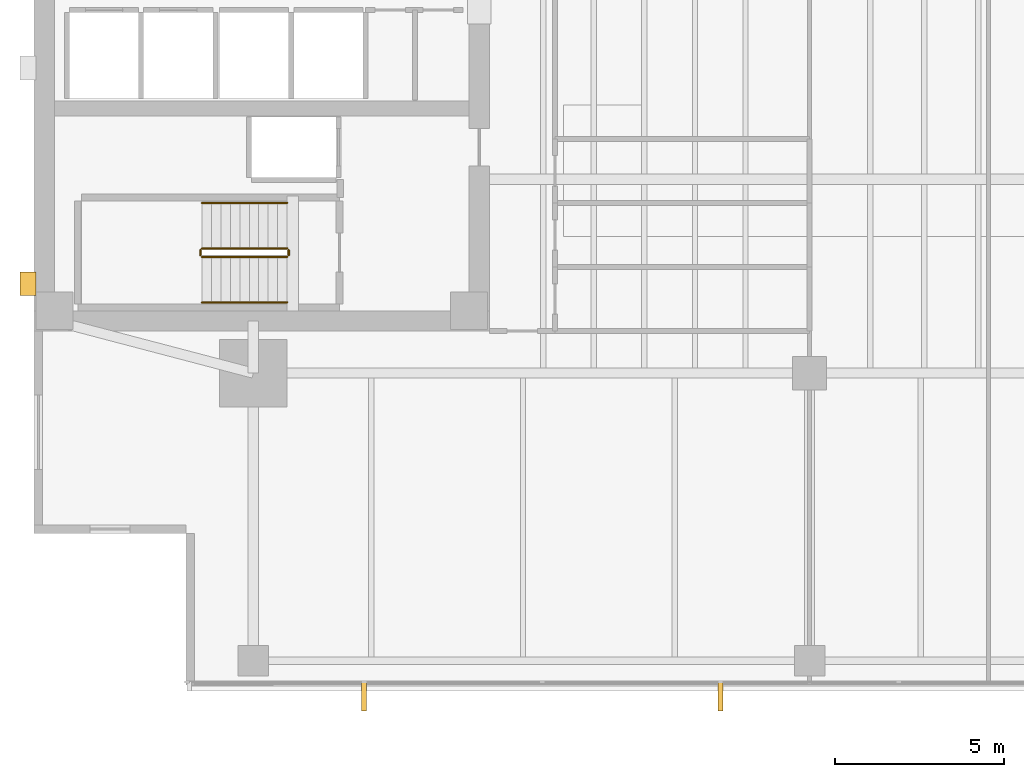
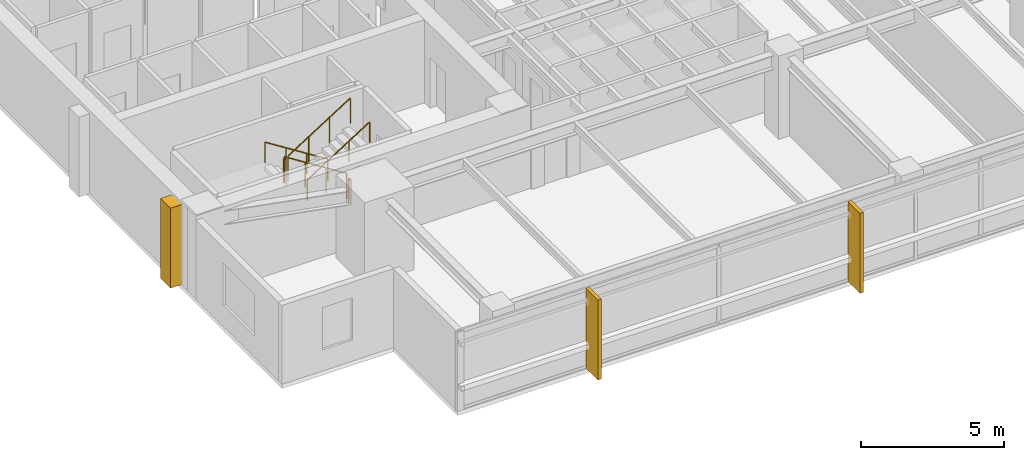
# One storey, part 11 of 14: 6 railings, 3 coverings.
"""IFC4 building model written with IfcOpenShell, lengths in metres."""

from ifc_helpers import new_model, si_unit, direction, frame, origin, origin_2d, place, context, subcontext, project, spatial, polyline, circle, outline, extrude, material, layer, layer_set, type_object, element, save


model = new_model("IFC4")

# Units and contexts
model_context = context("Model", 3, precision=1e-05, world=origin(), true_north=direction((0.0, 1.0)))
body_context = subcontext(model_context, "Body", "Model", "MODEL_VIEW")
ifc_project = project(units=[si_unit("LENGTHUNIT", "METRE"), si_unit("AREAUNIT", "SQUARE_METRE"), si_unit("VOLUMEUNIT", "CUBIC_METRE"), si_unit("PLANEANGLEUNIT", "RADIAN"), si_unit("MASSUNIT", "GRAM", prefix="KILO")], contexts=[model_context])

# Site, building, storey
site_placement = place(None, origin())
site = spatial("IfcSite", under=ifc_project, at=site_placement, CompositionType="ELEMENT")
building_placement = place(site_placement, origin())
building = spatial("IfcBuilding", under=site, at=building_placement, Name="Kinhvarn Gate Tower", CompositionType="ELEMENT")
storey_placement = place(building_placement, frame((0.0, 0.0, 116.449951171875)))
storey = spatial("IfcBuildingStorey", under=building, at=storey_placement, Name="L30", CompositionType="ELEMENT", Elevation=116.449951171875)

# Coverings
ifc_material_1 = material(Name="Fired architectural terracotta", Category="masonry")
ifc_layer_1 = layer(ifc_material_1, 0.139892578125)
ifc_layer_set_1 = layer_set([ifc_layer_1], Name="Fired architectural terracotta")
covering_type_1 = type_object("IfcCoveringType", Name="COV-FIN-850", PredefinedType="CLADDING", material=ifc_layer_set_1)
covering_1_placement = place(storey_placement, frame((0.0, 0.0, -0.02001953125)))
element("IfcCovering", 1, at=covering_1_placement, inside=storey, type_object=covering_type_1, Name="Vertical Terracotta Expressive Fin TFN-850 (L30)", PredefinedType="CLADDING", context=body_context, shape_type="SweptSolid", body=[
    extrude(outline(polyline([(14.2158203125, 3.580078125), (14.355712890625, 3.580078125), (14.355712890625, 2.72998046875), (14.2158203125, 2.72998046875), (14.2158203125, 3.580078125)])), origin(), (0.0, 0.0, 1.0), 3.41015625),
])
covering_2_placement = place(storey_placement, frame((0.0, 0.0, -0.02001953125)))
element("IfcCovering", 2, at=covering_2_placement, inside=storey, type_object=covering_type_1, Name="Vertical Terracotta Expressive Fin TFN-850 (L30)", PredefinedType="CLADDING", context=body_context, shape_type="SweptSolid", body=[
    extrude(outline(polyline([(24.787109375, 3.580078125), (24.927001953125, 3.580078125), (24.927001953125, 2.72998046875), (24.787109375, 2.72998046875), (24.787109375, 3.580078125)])), origin(), (0.0, 0.0, 1.0), 3.41015625),
])
ifc_material_2 = material(Name="Precast white architectural concrete C40/50", Category="concrete")
ifc_layer_2 = layer(ifc_material_2, 0.47998046875)
ifc_layer_set_2 = layer_set([ifc_layer_2], Name="Precast white architectural concrete C40/50")
covering_type_2 = type_object("IfcCoveringType", Name="COV-RIB-450", PredefinedType="CLADDING", material=ifc_layer_set_2)
covering_3_placement = place(storey_placement, frame((0.0, 0.0, -0.02001953125)))
element("IfcCovering", 3, at=covering_3_placement, inside=storey, type_object=covering_type_2, Name="West Core Sculptural Concrete Relief Rib CRB-450 (L30)", PredefinedType="CLADDING", context=body_context, shape_type="SweptSolid", body=[
    extrude(outline(polyline([(4.080078125, 15.050048828125), (4.56005859375, 15.050048828125), (4.56005859375, 15.75), (4.080078125, 15.75), (4.080078125, 15.050048828125)])), origin(), (0.0, 0.0, 1.0), 3.41015625),
])

# Railings
ifc_material_3 = material(Name="Steel S355", Category="steel")
railing_type_1 = type_object("IfcRailingType", Name="RL-ST-GRD", PredefinedType="BALUSTRADE", material=ifc_material_3)
railing_1_placement = place(storey_placement, frame((12.0, 16.449951171875, 0.177490234375)))
element("IfcRailing", 4, at=railing_1_placement, inside=storey, type_object=railing_type_1, Name="L30 ST1 stair guard 1", PredefinedType="BALUSTRADE", context=body_context, shape_type="SweptSolid", body=[
    extrude(circle(Radius=0.02392578125, at=origin_2d()), frame((0.0, 0.0, 1.076171875), z_axis=(-0.84456994832, 0.0, 0.535445237532), x_axis=(0.0, -1.0, 0.0)), (0.0, 0.0, 1.0), 2.98388671875),
    extrude(circle(Radius=0.02099609375, at=origin_2d()), origin(), (0.0, 0.0, 1.0), 1.052001953125),
    extrude(circle(Radius=0.02099609375, at=origin_2d()), frame((-0.840087890625, 0.0, 0.532470703125)), (0.0, 0.0, 1.0), 1.052001953125),
    extrude(circle(Radius=0.02099609375, at=origin_2d()), frame((-1.679931640625, 0.0, 1.065185546875)), (0.0, 0.0, 1.0), 1.052001953125),
    extrude(circle(Radius=0.02099609375, at=origin_2d()), frame((-2.52001953125, 0.0, 1.59765625)), (0.0, 0.0, 1.0), 1.052001953125),
])
railing_2_placement = place(storey_placement, frame((9.429931640625, 16.39990234375, 1.775146484375)))
element("IfcRailing", 5, at=railing_2_placement, inside=storey, type_object=railing_type_1, Name="L30 ST1 stair guard 2", PredefinedType="BALUSTRADE", context=body_context, shape_type="SweptSolid", body=[
    extrude(circle(Radius=0.02392578125, at=origin_2d()), frame((0.0, 0.0, 1.076171875), z_axis=(0.0, -1.0, 0.0), x_axis=(1.0, 0.0, 0.0)), (0.0, 0.0, 1.0), 0.14990234375),
    extrude(circle(Radius=0.02099609375, at=origin_2d()), origin(), (0.0, 0.0, 1.0), 1.052001953125),
    extrude(circle(Radius=0.02099609375, at=origin_2d()), frame((0.0, -0.14990234375, 0.0)), (0.0, 0.0, 1.0), 1.052001953125),
])
railing_3_placement = place(storey_placement, frame((9.47998046875, 16.199951171875, 1.95263671875)))
element("IfcRailing", 6, at=railing_3_placement, inside=storey, type_object=railing_type_1, Name="L30 ST1 stair guard 3", PredefinedType="BALUSTRADE", context=body_context, shape_type="SweptSolid", body=[
    extrude(circle(Radius=0.02392578125, at=origin_2d()), frame((0.0, 0.0, 1.076171875), z_axis=(0.84460694969, 0.0, 0.535386869969), x_axis=(0.0, 1.0, 0.0)), (0.0, 0.0, 1.0), 2.983642578125),
    extrude(circle(Radius=0.02099609375, at=origin_2d()), origin(), (0.0, 0.0, 1.0), 1.052001953125),
    extrude(circle(Radius=0.02099609375, at=origin_2d()), frame((0.840087890625, 0.0, 0.532470703125)), (0.0, 0.0, 1.0), 1.052001953125),
    extrude(circle(Radius=0.02099609375, at=origin_2d()), frame((1.679931640625, 0.0, 1.06494140625)), (0.0, 0.0, 1.0), 1.052001953125),
    extrude(circle(Radius=0.02099609375, at=origin_2d()), frame((2.52001953125, 0.0, 1.597412109375)), (0.0, 0.0, 1.0), 1.052001953125),
])
railing_4_placement = place(storey_placement, frame((12.050048828125, 16.39990234375, 0.0)))
element("IfcRailing", 7, at=railing_4_placement, inside=storey, type_object=railing_type_1, Name="L30 ST1 stair guard 4", PredefinedType="BALUSTRADE", context=body_context, shape_type="SweptSolid", body=[
    extrude(circle(Radius=0.02392578125, at=origin_2d()), frame((0.0, 0.0, 1.076171875), z_axis=(0.0, -1.0, 0.0), x_axis=(1.0, 0.0, 0.0)), (0.0, 0.0, 1.0), 0.14990234375),
    extrude(circle(Radius=0.02099609375, at=origin_2d()), origin(), (0.0, 0.0, 1.0), 1.052001953125),
    extrude(circle(Radius=0.02099609375, at=origin_2d()), frame((0.0, -0.14990234375, 0.0)), (0.0, 0.0, 1.0), 1.052001953125),
])
railing_type_2 = type_object("IfcRailingType", Name="RL-ST-HND", PredefinedType="HANDRAIL", material=ifc_material_3)
railing_5_placement = place(storey_placement, frame((12.0, 17.800048828125, 0.177490234375)))
element("IfcRailing", 8, at=railing_5_placement, inside=storey, type_object=railing_type_2, Name="L30 ST1 stair handrail 1", PredefinedType="HANDRAIL", context=body_context, shape_type="SweptSolid", body=[
    extrude(circle(Radius=0.02392578125, at=origin_2d()), frame((0.0, 0.0, 0.8759765625), z_axis=(-0.84456994832, 0.0, 0.535445237532), x_axis=(0.0, -1.0, 0.0)), (0.0, 0.0, 1.0), 2.98388671875),
    extrude(circle(Radius=0.02099609375, at=origin_2d()), origin(), (0.0, 0.0, 1.0), 0.851806640625),
    extrude(circle(Radius=0.02099609375, at=origin_2d()), frame((-0.840087890625, 0.0, 0.532470703125)), (0.0, 0.0, 1.0), 0.851806640625),
    extrude(circle(Radius=0.02099609375, at=origin_2d()), frame((-1.679931640625, 0.0, 1.065185546875)), (0.0, 0.0, 1.0), 0.851806640625),
    extrude(circle(Radius=0.02099609375, at=origin_2d()), frame((-2.52001953125, 0.0, 1.59765625)), (0.0, 0.0, 1.0), 0.851806640625),
])
railing_6_placement = place(storey_placement, frame((9.47998046875, 14.85009765625, 1.95263671875)))
element("IfcRailing", 9, at=railing_6_placement, inside=storey, type_object=railing_type_2, Name="L30 ST1 stair handrail 2", PredefinedType="HANDRAIL", context=body_context, shape_type="SweptSolid", body=[
    extrude(circle(Radius=0.02392578125, at=origin_2d()), frame((0.0, 0.0, 0.8759765625), z_axis=(0.84460694969, 0.0, 0.535386869969), x_axis=(0.0, 1.0, 0.0)), (0.0, 0.0, 1.0), 2.983642578125),
    extrude(circle(Radius=0.02099609375, at=origin_2d()), origin(), (0.0, 0.0, 1.0), 0.851806640625),
    extrude(circle(Radius=0.02099609375, at=origin_2d()), frame((0.840087890625, 0.0, 0.532470703125)), (0.0, 0.0, 1.0), 0.851806640625),
    extrude(circle(Radius=0.02099609375, at=origin_2d()), frame((1.679931640625, 0.0, 1.06494140625)), (0.0, 0.0, 1.0), 0.851806640625),
    extrude(circle(Radius=0.02099609375, at=origin_2d()), frame((2.52001953125, 0.0, 1.597412109375)), (0.0, 0.0, 1.0), 0.851806640625),
])

save(model, "model.ifc")
